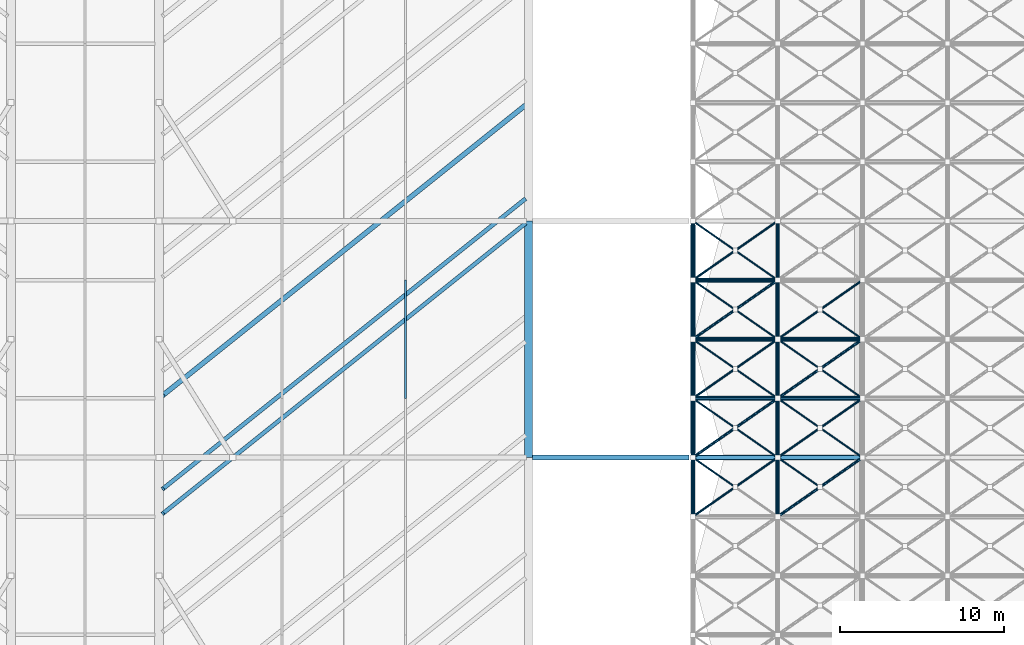
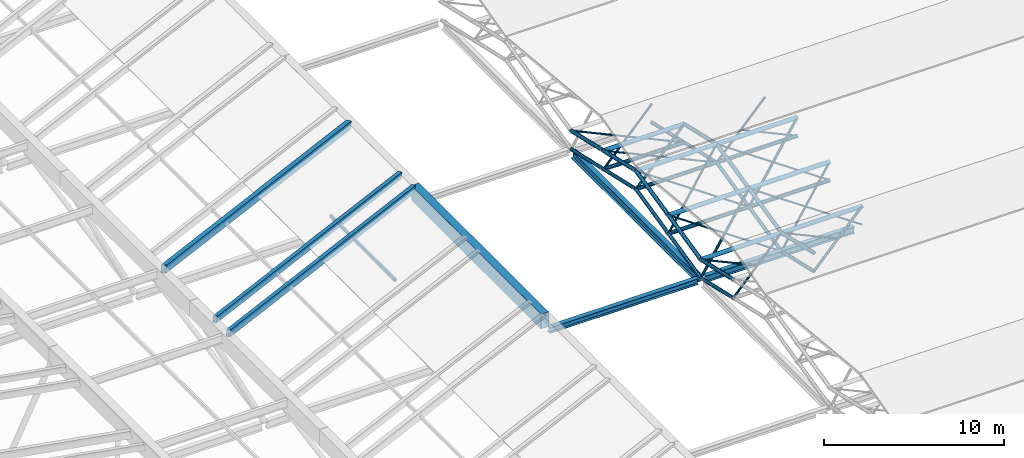
# One storey, part 25 of 110: 56 members, 7 beams.
"""IFC4 building model written with IfcOpenShell, lengths in metres."""

from ifc_helpers import new_model, si_unit, direction, frame, origin, origin_2d, place, context, subcontext, project, spatial, hollow_rectangle, hollow_circle, i_section, extrude, material, material_profile, profile_set, type_object, element, save


model = new_model("IFC4")

# Units and contexts
model_context = context("Model", 3, precision=1e-05, world=origin(), true_north=direction((0.0, 1.0)))
body_context = subcontext(model_context, "Body", "Model", "MODEL_VIEW")
ifc_project = project(units=[si_unit("LENGTHUNIT", "METRE"), si_unit("AREAUNIT", "SQUARE_METRE"), si_unit("VOLUMEUNIT", "CUBIC_METRE"), si_unit("PLANEANGLEUNIT", "RADIAN"), si_unit("MASSUNIT", "GRAM", prefix="KILO")], contexts=[model_context])

# Site, building, storey
site_placement = place(None, origin())
site = spatial("IfcSite", under=ifc_project, at=site_placement, CompositionType="ELEMENT")
building_placement = place(site_placement, origin())
building = spatial("IfcBuilding", under=site, at=building_placement, Name="Tamarisk Ironworks Central Station", CompositionType="ELEMENT")
storey_placement = place(building_placement, frame((0.0, 0.0, 17.39990234375)))
storey = spatial("IfcBuildingStorey", under=building, at=storey_placement, Name="L03", CompositionType="ELEMENT", Elevation=17.39990234375)

# Beams
ifc_material_1 = material(Name="Painted structural steel S355J2", Category="steel")
ifc_material_profile_1 = material_profile(ifc_material_1, hollow_rectangle(XDim=0.5, YDim=1.0, WallThickness=0.02197265625, at=origin_2d()), Name="BOX 500x1000x22")
ifc_profile_set_1 = profile_set([ifc_material_profile_1], Name="Painted structural steel S355J2")
beam_type_1 = type_object("IfcBeamType", Name="BM-EG01", PredefinedType="USERDEFINED", material=ifc_profile_set_1)
beam_1_placement = place(storey_placement, frame((108.0, 50.39990234375, -1.099853515625), z_axis=(0.0, 1.0, 0.0), x_axis=(-1.0, 0.0, 0.0)))
element("IfcBeam", 1, at=beam_1_placement, inside=storey, type_object=beam_type_1, Name="Concourse straight white eave girder E-012", ObjectType="TRANSFER GIRDER", PredefinedType="USERDEFINED", context=body_context, shape_type="SweptSolid", body=[
    extrude(hollow_rectangle(XDim=0.5, YDim=1.0, WallThickness=0.02197265625, at=origin_2d()), origin(), (0.0, 0.0, 1.0), 14.400146484375),
])
ifc_material_profile_2 = material_profile(ifc_material_1, hollow_rectangle(XDim=0.300048828125, YDim=0.5, WallThickness=0.02001953125, at=origin_2d()), Name="RHS 500x300x20")
ifc_profile_set_2 = profile_set([ifc_material_profile_2], Name="Painted structural steel S355J2")
beam_type_2 = type_object("IfcBeamType", Name="BM-FR01", PredefinedType="USERDEFINED", material=ifc_profile_set_2)
beam_2_placement = place(storey_placement, frame((85.75, 54.199951171875, 7.873291015625), z_axis=(0.746812720906, 0.597456799313, -0.292089254932), x_axis=(-0.624699269839, 0.780865431597, 0.0)))
element("IfcBeam", 2, at=beam_2_placement, inside=storey, type_object=beam_type_2, Name="Concourse paired 45-degree white fishbone roof rib 0146", ObjectType="FISHBONE ROOF RIB", PredefinedType="USERDEFINED", context=body_context, shape_type="SweptSolid", body=[
    extrude(hollow_rectangle(XDim=0.300048828125, YDim=0.5, WallThickness=0.02001953125, at=origin_2d()), origin(), (0.0, 0.0, 1.0), 29.491943359375),
])
ifc_material_profile_3 = material_profile(ifc_material_1, hollow_rectangle(XDim=0.25, YDim=0.449951171875, WallThickness=0.01611328125, at=origin_2d()), Name="RHS 450x250x16")
ifc_profile_set_3 = profile_set([ifc_material_profile_3], Name="Painted structural steel S355J2")
beam_type_3 = type_object("IfcBeamType", Name="BM-FR02", PredefinedType="USERDEFINED", material=ifc_profile_set_3)
beam_3_placement = place(storey_placement, frame((85.75, 47.0, 7.897216796875), z_axis=(0.746812720906, 0.597456799313, -0.292089254932), x_axis=(-0.624699269839, 0.780865431597, 0.0)))
element("IfcBeam", 3, at=beam_3_placement, inside=storey, type_object=beam_type_3, Name="Concourse paired 45-degree white fishbone roof rib 0142", ObjectType="FISHBONE ROOF RIB", PredefinedType="USERDEFINED", context=body_context, shape_type="SweptSolid", body=[
    extrude(hollow_rectangle(XDim=0.25, YDim=0.449951171875, WallThickness=0.01611328125, at=origin_2d()), origin(), (0.0, 0.0, 1.0), 29.491943359375),
])
ifc_material_profile_4 = material_profile(ifc_material_1, hollow_rectangle(XDim=0.25, YDim=0.39990234375, WallThickness=0.01611328125, at=origin_2d()), Name="RHS 400x250x16")
ifc_profile_set_4 = profile_set([ifc_material_profile_4], Name="Painted structural steel S355J2")
beam_type_4 = type_object("IfcBeamType", Name="BM-FR03", PredefinedType="USERDEFINED", material=ifc_profile_set_4)
beam_4_placement = place(storey_placement, frame((85.75, 48.5, 7.9208984375), z_axis=(0.746814526668, 0.597458243939, -0.292081682936), x_axis=(-0.624699269839, 0.780865431597, 0.0)))
element("IfcBeam", 4, at=beam_4_placement, inside=storey, type_object=beam_type_4, Name="Concourse paired 45-degree white fishbone roof rib 0144", ObjectType="FISHBONE ROOF RIB", PredefinedType="USERDEFINED", context=body_context, shape_type="SweptSolid", body=[
    extrude(hollow_rectangle(XDim=0.25, YDim=0.39990234375, WallThickness=0.01611328125, at=origin_2d()), origin(), (0.0, 0.0, 1.0), 29.49169921875),
])
ifc_material_2 = material(Name="Structural steel S355J2", Category="steel")
ifc_material_profile_5 = material_profile(ifc_material_2, i_section(OverallWidth=0.300048828125, OverallDepth=0.5400390625, WebThickness=0.012451171875, FlangeThickness=0.02392578125, at=origin_2d()), Name="HEA 550")
ifc_profile_set_5 = profile_set([ifc_material_profile_5], Name="Structural steel S355J2")
beam_type_5 = type_object("IfcBeamType", Name="BM-G04", PredefinedType="BEAM", material=ifc_profile_set_5)
beam_5_placement = place(storey_placement, frame((118.0, 50.637939453125, -1.869873046875), z_axis=(0.0, 1.0, 0.0), x_axis=(-1.0, 0.0, 0.0)))
element("IfcBeam", 5, at=beam_5_placement, inside=storey, type_object=beam_type_5, Name="L03 primary girder Y-0608", PredefinedType="BEAM", context=body_context, shape_type="SweptSolid", body=[
    extrude(i_section(OverallWidth=0.300048828125, OverallDepth=0.5400390625, WebThickness=0.012451171875, FlangeThickness=0.02392578125, at=origin_2d()), origin(), (0.0, 0.0, 1.0), 13.924072265625),
])
ifc_material_profile_6 = material_profile(ifc_material_2, i_section(OverallWidth=0.300048828125, OverallDepth=0.43994140625, WebThickness=0.011474609375, FlangeThickness=0.02099609375, at=origin_2d()), Name="HEA 450")
ifc_profile_set_6 = profile_set([ifc_material_profile_6], Name="Structural steel S355J2")
beam_type_6 = type_object("IfcBeamType", Name="BM-G06", PredefinedType="BEAM", material=ifc_profile_set_6)
beam_6_placement = place(storey_placement, frame((118.238037109375, 50.39990234375, -1.81982421875), z_axis=(1.0, 0.0, 0.0), x_axis=(0.0, 1.0, 0.0)))
element("IfcBeam", 6, at=beam_6_placement, inside=storey, type_object=beam_type_6, Name="L03 primary girder X-0562", PredefinedType="BEAM", context=body_context, shape_type="SweptSolid", body=[
    extrude(i_section(OverallWidth=0.300048828125, OverallDepth=0.43994140625, WebThickness=0.011474609375, FlangeThickness=0.02099609375, at=origin_2d()), origin(), (0.0, 0.0, 1.0), 9.57080078125),
])
ifc_material_profile_7 = material_profile(ifc_material_2, i_section(OverallWidth=0.300048828125, OverallDepth=0.389892578125, WebThickness=0.010986328125, FlangeThickness=0.01904296875, at=origin_2d()), Name="HEA 400")
ifc_profile_set_7 = profile_set([ifc_material_profile_7], Name="Structural steel S355J2")
beam_type_7 = type_object("IfcBeamType", Name="BM-G07", PredefinedType="BEAM", material=ifc_profile_set_7)
beam_7_placement = place(storey_placement, frame((108.22998046875, 50.39990234375, -1.7998046875), z_axis=(1.0, 0.0, 0.0), x_axis=(0.0, 1.0, 0.0)))
element("IfcBeam", 7, at=beam_7_placement, inside=storey, type_object=beam_type_7, Name="Train shed to concourse eave tie girder 08", PredefinedType="BEAM", context=body_context, shape_type="SweptSolid", body=[
    extrude(i_section(OverallWidth=0.300048828125, OverallDepth=0.389892578125, WebThickness=0.010986328125, FlangeThickness=0.01904296875, at=origin_2d()), origin(), (0.0, 0.0, 1.0), 9.5400390625),
])

# Members
ifc_material_profile_8 = material_profile(ifc_material_1, hollow_rectangle(XDim=0.1201171875, YDim=0.219970703125, WallThickness=0.008056640625, at=origin_2d()), Name="RHS 220x120x8")
ifc_profile_set_8 = profile_set([ifc_material_profile_8], Name="Painted structural steel S355J2")
member_type_1 = type_object("IfcMemberType", Name="MB-PR01", PredefinedType="PURLIN", material=ifc_profile_set_8)
member_1_placement = place(storey_placement, frame((100.5, 54.0, 2.0693359375), z_axis=(0.0, 1.0, 0.0), x_axis=(-1.0, 0.0, 0.0)))
element("IfcMember", 8, at=member_1_placement, inside=storey, type_object=member_type_1, Name="Concourse roof glazing purlin 0063", PredefinedType="PURLIN", context=body_context, shape_type="SweptSolid", body=[
    extrude(hollow_rectangle(XDim=0.1201171875, YDim=0.219970703125, WallThickness=0.008056640625, at=origin_2d()), origin(), (0.0, 0.0, 1.0), 7.199951171875),
])
ifc_material_3 = material(Name="Structural steel S355J2H", Category="steel")
ifc_material_profile_9 = material_profile(ifc_material_3, hollow_circle(Radius=0.136474609375, WallThickness=0.012451171875, at=origin_2d()), Name="CHS 273x12.5")
ifc_profile_set_9 = profile_set([ifc_material_profile_9], Name="Structural steel S355J2H")
member_type_2 = type_object("IfcMemberType", Name="MB-SFC01", PredefinedType="CHORD", material=ifc_profile_set_9)
member_2_placement = place(storey_placement, frame((118.0, 50.39990234375, -0.469970703125), z_axis=(1.0, 0.0, 0.0), x_axis=(0.0, 1.0, 0.0)))
element("IfcMember", 9, at=member_2_placement, inside=storey, type_object=member_type_2, Name="Train shed space-frame top chord 1383", PredefinedType="CHORD", context=body_context, shape_type="SweptSolid", body=[
    extrude(hollow_circle(Radius=0.136474609375, WallThickness=0.012451171875, at=origin_2d()), origin(), (0.0, 0.0, 1.0), 5.166748046875),
])
member_3_placement = place(storey_placement, frame((123.166748046875, 50.39990234375, -0.469970703125), z_axis=(1.0, 0.0, 0.0), x_axis=(0.0, 1.0, 0.0)))
element("IfcMember", 10, at=member_3_placement, inside=storey, type_object=member_type_2, Name="Train shed space-frame top chord 1384", PredefinedType="CHORD", context=body_context, shape_type="SweptSolid", body=[
    extrude(hollow_circle(Radius=0.136474609375, WallThickness=0.012451171875, at=origin_2d()), origin(), (0.0, 0.0, 1.0), 5.16650390625),
])
member_4_placement = place(storey_placement, frame((118.0, 54.0, 0.35498046875), z_axis=(1.0, 0.0, 0.0), x_axis=(0.0, 1.0, 0.0)))
element("IfcMember", 11, at=member_4_placement, inside=storey, type_object=member_type_2, Name="Train shed space-frame top chord 1631", PredefinedType="CHORD", context=body_context, shape_type="SweptSolid", body=[
    extrude(hollow_circle(Radius=0.136474609375, WallThickness=0.012451171875, at=origin_2d()), origin(), (0.0, 0.0, 1.0), 5.166748046875),
])
member_5_placement = place(storey_placement, frame((123.166748046875, 54.0, 0.35498046875), z_axis=(1.0, 0.0, 0.0), x_axis=(0.0, 1.0, 0.0)))
element("IfcMember", 12, at=member_5_placement, inside=storey, type_object=member_type_2, Name="Train shed space-frame top chord 1632", PredefinedType="CHORD", context=body_context, shape_type="SweptSolid", body=[
    extrude(hollow_circle(Radius=0.136474609375, WallThickness=0.012451171875, at=origin_2d()), origin(), (0.0, 0.0, 1.0), 5.16650390625),
])
member_6_placement = place(storey_placement, frame((118.0, 57.60009765625, 1.18017578125), z_axis=(1.0, 0.0, 0.0), x_axis=(0.0, 1.0, 0.0)))
element("IfcMember", 13, at=member_6_placement, inside=storey, type_object=member_type_2, Name="Train shed space-frame top chord 1643", PredefinedType="CHORD", context=body_context, shape_type="SweptSolid", body=[
    extrude(hollow_circle(Radius=0.136474609375, WallThickness=0.012451171875, at=origin_2d()), origin(), (0.0, 0.0, 1.0), 5.166748046875),
])
member_7_placement = place(storey_placement, frame((123.166748046875, 57.60009765625, 1.18017578125), z_axis=(1.0, 0.0, 0.0), x_axis=(0.0, 1.0, 0.0)))
element("IfcMember", 14, at=member_7_placement, inside=storey, type_object=member_type_2, Name="Train shed space-frame top chord 1644", PredefinedType="CHORD", context=body_context, shape_type="SweptSolid", body=[
    extrude(hollow_circle(Radius=0.136474609375, WallThickness=0.012451171875, at=origin_2d()), origin(), (0.0, 0.0, 1.0), 5.16650390625),
])
member_8_placement = place(storey_placement, frame((118.0, 61.199951171875, 0.35498046875), z_axis=(1.0, 0.0, 0.0), x_axis=(0.0, 1.0, 0.0)))
element("IfcMember", 15, at=member_8_placement, inside=storey, type_object=member_type_2, Name="Train shed space-frame top chord 1655", PredefinedType="CHORD", context=body_context, shape_type="SweptSolid", body=[
    extrude(hollow_circle(Radius=0.136474609375, WallThickness=0.012451171875, at=origin_2d()), origin(), (0.0, 0.0, 1.0), 5.166748046875),
])
ifc_material_profile_10 = material_profile(ifc_material_3, hollow_circle(Radius=0.122314453125, WallThickness=0.012451171875, at=origin_2d()), Name="CHS 244.5x12.5")
ifc_profile_set_10 = profile_set([ifc_material_profile_10], Name="Structural steel S355J2H")
member_type_3 = type_object("IfcMemberType", Name="MB-SFC02", PredefinedType="CHORD", material=ifc_profile_set_10)
for number, where, z_axis, x_axis, name in (
    (16, (118.0, 46.800048828125, 0.35498046875), (0.0, 0.974733218107, -0.223372230857), (-1.0, 0.0, 0.0), "Train shed space-frame top transverse chord 1398"),
    (17, (123.166748046875, 46.800048828125, 0.35498046875), (0.0, 0.974733218107, -0.223372230857), (-1.0, 0.0, 0.0), "Train shed space-frame top transverse chord 1402"),
):
    element("IfcMember", number, at=place(storey_placement, frame(where, z_axis=z_axis, x_axis=x_axis)), inside=storey, type_object=member_type_3, Name=name, PredefinedType="CHORD", context=body_context, shape_type="SweptSolid", body=[
        extrude(hollow_circle(Radius=0.122314453125, WallThickness=0.012451171875, at=origin_2d()), origin(), (0.0, 0.0, 1.0), 3.693115234375),
    ])
member_9_placement = place(storey_placement, frame((118.0, 54.0, -0.89501953125), z_axis=(1.0, 0.0, 0.0), x_axis=(0.0, 1.0, 0.0)))
element("IfcMember", 18, at=member_9_placement, inside=storey, type_object=member_type_3, Name="Train shed space-frame bottom chord 1543", PredefinedType="CHORD", context=body_context, shape_type="SweptSolid", body=[
    extrude(hollow_circle(Radius=0.122314453125, WallThickness=0.012451171875, at=origin_2d()), origin(), (0.0, 0.0, 1.0), 5.166748046875),
])
member_10_placement = place(storey_placement, frame((123.166748046875, 54.0, -0.89501953125), z_axis=(1.0, 0.0, 0.0), x_axis=(0.0, 1.0, 0.0)))
element("IfcMember", 19, at=member_10_placement, inside=storey, type_object=member_type_3, Name="Train shed space-frame bottom chord 1544", PredefinedType="CHORD", context=body_context, shape_type="SweptSolid", body=[
    extrude(hollow_circle(Radius=0.122314453125, WallThickness=0.012451171875, at=origin_2d()), origin(), (0.0, 0.0, 1.0), 5.16650390625),
])
member_11_placement = place(storey_placement, frame((118.0, 57.60009765625, -0.06982421875), z_axis=(1.0, 0.0, 0.0), x_axis=(0.0, 1.0, 0.0)))
element("IfcMember", 20, at=member_11_placement, inside=storey, type_object=member_type_3, Name="Train shed space-frame bottom chord 1555", PredefinedType="CHORD", context=body_context, shape_type="SweptSolid", body=[
    extrude(hollow_circle(Radius=0.122314453125, WallThickness=0.012451171875, at=origin_2d()), origin(), (0.0, 0.0, 1.0), 5.166748046875),
])
member_12_placement = place(storey_placement, frame((123.166748046875, 57.60009765625, -0.06982421875), z_axis=(1.0, 0.0, 0.0), x_axis=(0.0, 1.0, 0.0)))
element("IfcMember", 21, at=member_12_placement, inside=storey, type_object=member_type_3, Name="Train shed space-frame bottom chord 1556", PredefinedType="CHORD", context=body_context, shape_type="SweptSolid", body=[
    extrude(hollow_circle(Radius=0.122314453125, WallThickness=0.012451171875, at=origin_2d()), origin(), (0.0, 0.0, 1.0), 5.16650390625),
])
member_13_placement = place(storey_placement, frame((118.0, 61.199951171875, -0.89501953125), z_axis=(1.0, 0.0, 0.0), x_axis=(0.0, 1.0, 0.0)))
element("IfcMember", 22, at=member_13_placement, inside=storey, type_object=member_type_3, Name="Train shed space-frame bottom chord 1567", PredefinedType="CHORD", context=body_context, shape_type="SweptSolid", body=[
    extrude(hollow_circle(Radius=0.122314453125, WallThickness=0.012451171875, at=origin_2d()), origin(), (0.0, 0.0, 1.0), 5.166748046875),
])
for number, where, z_axis, x_axis, name in (
    (23, (118.0, 50.39990234375, -0.469970703125), (0.0, 0.974736516158, 0.223357838607), (-1.0, 0.0, 0.0), "Train shed space-frame top transverse chord 1679"),
    (24, (118.0, 54.0, 0.35498046875), (0.0, 0.974722123001, 0.223420641241), (-1.0, 0.0, 0.0), "Train shed space-frame top transverse chord 1680"),
):
    element("IfcMember", number, at=place(storey_placement, frame(where, z_axis=z_axis, x_axis=x_axis)), inside=storey, type_object=member_type_3, Name=name, PredefinedType="CHORD", context=body_context, shape_type="SweptSolid", body=[
        extrude(hollow_circle(Radius=0.122314453125, WallThickness=0.012451171875, at=origin_2d()), origin(), (0.0, 0.0, 1.0), 3.693359375),
    ])
member_14_placement = place(storey_placement, frame((118.0, 57.60009765625, 1.18017578125), z_axis=(0.0, 0.974718823144, -0.223435037113), x_axis=(-1.0, 0.0, 0.0)))
element("IfcMember", 25, at=member_14_placement, inside=storey, type_object=member_type_3, Name="Train shed space-frame top transverse chord 1681", PredefinedType="CHORD", context=body_context, shape_type="SweptSolid", body=[
    extrude(hollow_circle(Radius=0.122314453125, WallThickness=0.012451171875, at=origin_2d()), origin(), (0.0, 0.0, 1.0), 3.693115234375),
])
for number, where, z_axis, x_axis, name in (
    (26, (118.0, 61.199951171875, 0.35498046875), (0.0, 0.974736516158, -0.223357838607), (-1.0, 0.0, 0.0), "Train shed space-frame top transverse chord 1682"),
    (27, (123.166748046875, 50.39990234375, -0.469970703125), (0.0, 0.974736516158, 0.223357838607), (-1.0, 0.0, 0.0), "Train shed space-frame top transverse chord 1683"),
    (28, (123.166748046875, 54.0, 0.35498046875), (0.0, 0.974722123001, 0.223420641241), (-1.0, 0.0, 0.0), "Train shed space-frame top transverse chord 1684"),
):
    element("IfcMember", number, at=place(storey_placement, frame(where, z_axis=z_axis, x_axis=x_axis)), inside=storey, type_object=member_type_3, Name=name, PredefinedType="CHORD", context=body_context, shape_type="SweptSolid", body=[
        extrude(hollow_circle(Radius=0.122314453125, WallThickness=0.012451171875, at=origin_2d()), origin(), (0.0, 0.0, 1.0), 3.693359375),
    ])
member_15_placement = place(storey_placement, frame((123.166748046875, 57.60009765625, 1.18017578125), z_axis=(0.0, 0.974718823144, -0.223435037113), x_axis=(-1.0, 0.0, 0.0)))
element("IfcMember", 29, at=member_15_placement, inside=storey, type_object=member_type_3, Name="Train shed space-frame top transverse chord 1685", PredefinedType="CHORD", context=body_context, shape_type="SweptSolid", body=[
    extrude(hollow_circle(Radius=0.122314453125, WallThickness=0.012451171875, at=origin_2d()), origin(), (0.0, 0.0, 1.0), 3.693115234375),
])
ifc_material_profile_11 = material_profile(ifc_material_3, hollow_circle(Radius=0.109619140625, WallThickness=0.010009765625, at=origin_2d()), Name="CHS 219.1x10")
ifc_profile_set_11 = profile_set([ifc_material_profile_11], Name="Structural steel S355J2H")
member_type_4 = type_object("IfcMemberType", Name="MB-SFC03", PredefinedType="CHORD", material=ifc_profile_set_11)
for number, where, z_axis, x_axis, name in (
    (30, (118.0, 46.800048828125, -0.89501953125), (0.0, 0.974733218107, -0.223372230857), (-1.0, 0.0, 0.0), "Train shed space-frame transverse chord 1298"),
    (31, (123.166748046875, 46.800048828125, -0.89501953125), (0.0, 0.974733218107, -0.223372230857), (-1.0, 0.0, 0.0), "Train shed space-frame transverse chord 1302"),
):
    element("IfcMember", number, at=place(storey_placement, frame(where, z_axis=z_axis, x_axis=x_axis)), inside=storey, type_object=member_type_4, Name=name, PredefinedType="CHORD", context=body_context, shape_type="SweptSolid", body=[
        extrude(hollow_circle(Radius=0.109619140625, WallThickness=0.010009765625, at=origin_2d()), origin(), (0.0, 0.0, 1.0), 3.693115234375),
    ])
for number, where, z_axis, x_axis, name in (
    (32, (118.0, 50.39990234375, -1.719970703125), (0.0, 0.974736516158, 0.223357838607), (-1.0, 0.0, 0.0), "Train shed space-frame transverse chord 1579"),
    (33, (118.0, 54.0, -0.89501953125), (0.0, 0.974722123001, 0.223420641241), (-1.0, 0.0, 0.0), "Train shed space-frame transverse chord 1580"),
):
    element("IfcMember", number, at=place(storey_placement, frame(where, z_axis=z_axis, x_axis=x_axis)), inside=storey, type_object=member_type_4, Name=name, PredefinedType="CHORD", context=body_context, shape_type="SweptSolid", body=[
        extrude(hollow_circle(Radius=0.109619140625, WallThickness=0.010009765625, at=origin_2d()), origin(), (0.0, 0.0, 1.0), 3.693359375),
    ])
member_16_placement = place(storey_placement, frame((118.0, 57.60009765625, -0.06982421875), z_axis=(0.0, 0.974718823144, -0.223435037113), x_axis=(-1.0, 0.0, 0.0)))
element("IfcMember", 34, at=member_16_placement, inside=storey, type_object=member_type_4, Name="Train shed space-frame transverse chord 1581", PredefinedType="CHORD", context=body_context, shape_type="SweptSolid", body=[
    extrude(hollow_circle(Radius=0.109619140625, WallThickness=0.010009765625, at=origin_2d()), origin(), (0.0, 0.0, 1.0), 3.693115234375),
])
for number, where, z_axis, x_axis, name in (
    (35, (118.0, 61.199951171875, -0.89501953125), (0.0, 0.974736516158, -0.223357838607), (-1.0, 0.0, 0.0), "Train shed space-frame transverse chord 1582"),
    (36, (123.166748046875, 50.39990234375, -1.719970703125), (0.0, 0.974736516158, 0.223357838607), (-1.0, 0.0, 0.0), "Train shed space-frame transverse chord 1583"),
    (37, (123.166748046875, 54.0, -0.89501953125), (0.0, 0.974722123001, 0.223420641241), (-1.0, 0.0, 0.0), "Train shed space-frame transverse chord 1584"),
):
    element("IfcMember", number, at=place(storey_placement, frame(where, z_axis=z_axis, x_axis=x_axis)), inside=storey, type_object=member_type_4, Name=name, PredefinedType="CHORD", context=body_context, shape_type="SweptSolid", body=[
        extrude(hollow_circle(Radius=0.109619140625, WallThickness=0.010009765625, at=origin_2d()), origin(), (0.0, 0.0, 1.0), 3.693359375),
    ])
member_17_placement = place(storey_placement, frame((123.166748046875, 57.60009765625, -0.06982421875), z_axis=(0.0, 0.974718823144, -0.223435037113), x_axis=(-1.0, 0.0, 0.0)))
element("IfcMember", 38, at=member_17_placement, inside=storey, type_object=member_type_4, Name="Train shed space-frame transverse chord 1585", PredefinedType="CHORD", context=body_context, shape_type="SweptSolid", body=[
    extrude(hollow_circle(Radius=0.109619140625, WallThickness=0.010009765625, at=origin_2d()), origin(), (0.0, 0.0, 1.0), 3.693115234375),
])
member_18_placement = place(storey_placement, frame((123.166748046875, 61.199951171875, -0.89501953125), z_axis=(0.0, 0.974736516158, -0.223357838607), x_axis=(-1.0, 0.0, 0.0)))
element("IfcMember", 39, at=member_18_placement, inside=storey, type_object=member_type_4, Name="Train shed space-frame transverse chord 1586", PredefinedType="CHORD", context=body_context, shape_type="SweptSolid", body=[
    extrude(hollow_circle(Radius=0.109619140625, WallThickness=0.010009765625, at=origin_2d()), origin(), (0.0, 0.0, 1.0), 3.693359375),
])
ifc_material_profile_12 = material_profile(ifc_material_3, hollow_circle(Radius=0.084228515625, WallThickness=0.010009765625, at=origin_2d()), Name="CHS 168.3x10")
ifc_profile_set_12 = profile_set([ifc_material_profile_12], Name="Structural steel S355J2H")
member_type_5 = type_object("IfcMemberType", Name="MB-SFD01", PredefinedType="BRACE", material=ifc_profile_set_12)
member_19_placement = place(storey_placement, frame((123.166748046875, 46.800048828125, -0.89501953125), z_axis=(0.818613050724, 0.570383207302, 0.067347383107), x_axis=(-0.571681159291, 0.820475869305, 0.0)))
element("IfcMember", 40, at=member_19_placement, inside=storey, type_object=member_type_5, Name="Train shed space-frame diagonal 1461", PredefinedType="BRACE", context=body_context, shape_type="SweptSolid", body=[
    extrude(hollow_circle(Radius=0.084228515625, WallThickness=0.010009765625, at=origin_2d()), origin(), (0.0, 0.0, 1.0), 6.311279296875),
])
member_20_placement = place(storey_placement, frame((118.0, 50.39990234375, -1.719970703125), z_axis=(0.77925836502, 0.542973295402, 0.312947920631), x_axis=(-0.571689073201, 0.82047035509, 0.0)))
element("IfcMember", 41, at=member_20_placement, inside=storey, type_object=member_type_5, Name="Train shed space-frame diagonal 1731", PredefinedType="BRACE", context=body_context, shape_type="SweptSolid", body=[
    extrude(hollow_circle(Radius=0.084228515625, WallThickness=0.010009765625, at=origin_2d()), origin(), (0.0, 0.0, 1.0), 6.63037109375),
])
member_21_placement = place(storey_placement, frame((118.0, 57.60009765625, -0.06982421875), z_axis=(0.818627942589, 0.570366631076, 0.06730674385), x_axis=(-0.57166297408, 0.820488539875, 0.0)))
element("IfcMember", 42, at=member_21_placement, inside=storey, type_object=member_type_5, Name="Train shed space-frame diagonal 1735", PredefinedType="BRACE", context=body_context, shape_type="SweptSolid", body=[
    extrude(hollow_circle(Radius=0.084228515625, WallThickness=0.010009765625, at=origin_2d()), origin(), (0.0, 0.0, 1.0), 6.3115234375),
])
member_22_placement = place(storey_placement, frame((123.166748046875, 54.0, -0.89501953125), z_axis=(0.779234922088, 0.542982617952, 0.31299011614), x_axis=(-0.571707258436, 0.820457683645, 0.0)))
element("IfcMember", 43, at=member_22_placement, inside=storey, type_object=member_type_5, Name="Train shed space-frame diagonal 1741", PredefinedType="BRACE", context=body_context, shape_type="SweptSolid", body=[
    extrude(hollow_circle(Radius=0.084228515625, WallThickness=0.010009765625, at=origin_2d()), origin(), (0.0, 0.0, 1.0), 6.630126953125),
])
ifc_material_profile_13 = material_profile(ifc_material_3, hollow_circle(Radius=0.06982421875, WallThickness=0.008056640625, at=origin_2d()), Name="CHS 139.7x8")
ifc_profile_set_13 = profile_set([ifc_material_profile_13], Name="Structural steel S355J2H")
member_type_6 = type_object("IfcMemberType", Name="MB-SFD02", PredefinedType="BRACE", material=ifc_profile_set_13)
member_23_placement = place(storey_placement, frame((118.0, 46.800048828125, -0.89501953125), z_axis=(0.818625810636, 0.570365145671, 0.067345250499), x_axis=(-0.57166297408, 0.820488539875, 0.0)))
element("IfcMember", 44, at=member_23_placement, inside=storey, type_object=member_type_6, Name="Train shed space-frame diagonal 1453", PredefinedType="BRACE", context=body_context, shape_type="SweptSolid", body=[
    extrude(hollow_circle(Radius=0.06982421875, WallThickness=0.008056640625, at=origin_2d()), origin(), (0.0, 0.0, 1.0), 6.3115234375),
])
member_24_placement = place(storey_placement, frame((118.0, 54.0, -0.89501953125), z_axis=(0.779249385031, 0.542967038306, 0.312981135603), x_axis=(-0.571689073201, 0.82047035509, 0.0)))
element("IfcMember", 45, at=member_24_placement, inside=storey, type_object=member_type_6, Name="Train shed space-frame diagonal 1733", PredefinedType="BRACE", context=body_context, shape_type="SweptSolid", body=[
    extrude(hollow_circle(Radius=0.06982421875, WallThickness=0.008056640625, at=origin_2d()), origin(), (0.0, 0.0, 1.0), 6.63037109375),
])
member_25_placement = place(storey_placement, frame((118.0, 61.199951171875, -0.89501953125), z_axis=(0.818607749421, 0.570391242875, 0.067343764671), x_axis=(-0.571689073201, 0.82047035509, 0.0)))
element("IfcMember", 46, at=member_25_placement, inside=storey, type_object=member_type_6, Name="Train shed space-frame diagonal 1737", PredefinedType="BRACE", context=body_context, shape_type="SweptSolid", body=[
    extrude(hollow_circle(Radius=0.06982421875, WallThickness=0.008056640625, at=origin_2d()), origin(), (0.0, 0.0, 1.0), 6.3115234375),
])
member_26_placement = place(storey_placement, frame((123.166748046875, 50.39990234375, -1.719970703125), z_axis=(0.779243902426, 0.542988875587, 0.312956900421), x_axis=(-0.571707258436, 0.820457683645, 0.0)))
element("IfcMember", 47, at=member_26_placement, inside=storey, type_object=member_type_6, Name="Train shed space-frame diagonal 1739", PredefinedType="BRACE", context=body_context, shape_type="SweptSolid", body=[
    extrude(hollow_circle(Radius=0.06982421875, WallThickness=0.008056640625, at=origin_2d()), origin(), (0.0, 0.0, 1.0), 6.630126953125),
])
member_27_placement = place(storey_placement, frame((123.166748046875, 57.60009765625, -0.06982421875), z_axis=(0.818615182779, 0.570384692849, 0.06730887525), x_axis=(-0.571681159291, 0.820475869305, 0.0)))
element("IfcMember", 48, at=member_27_placement, inside=storey, type_object=member_type_6, Name="Train shed space-frame diagonal 1743", PredefinedType="BRACE", context=body_context, shape_type="SweptSolid", body=[
    extrude(hollow_circle(Radius=0.06982421875, WallThickness=0.008056640625, at=origin_2d()), origin(), (0.0, 0.0, 1.0), 6.311279296875),
])
ifc_material_profile_14 = material_profile(ifc_material_3, hollow_circle(Radius=0.05712890625, WallThickness=0.00634765625, at=origin_2d()), Name="CHS 114.3x6.3")
ifc_profile_set_14 = profile_set([ifc_material_profile_14], Name="Structural steel S355J2H")
member_type_7 = type_object("IfcMemberType", Name="MB-SFD03", PredefinedType="BRACE", material=ifc_profile_set_14)
for number, where, z_axis, x_axis, name in (
    (49, (120.538330078125, 48.63134765625, -0.6787109375), (-0.81862545828, 0.570368646704, 0.067319877544), (-0.571665501983, -0.820486778591, 0.0), "Train shed space-frame split counter-diagonal upper 1454"),
    (50, (125.705078125, 48.63134765625, -0.6787109375), (-0.81862545828, 0.570368646704, 0.067319877544), (-0.571665501983, -0.820486778591, 0.0), "Train shed space-frame split counter-diagonal upper 1462"),
):
    element("IfcMember", number, at=place(storey_placement, frame(where, z_axis=z_axis, x_axis=x_axis)), inside=storey, type_object=member_type_7, Name=name, PredefinedType="BRACE", context=body_context, shape_type="SweptSolid", body=[
        extrude(hollow_circle(Radius=0.05712890625, WallThickness=0.00634765625, at=origin_2d()), origin(), (0.0, 0.0, 1.0), 3.100830078125),
    ])
member_28_placement = place(storey_placement, frame((123.166748046875, 50.39990234375, -1.719970703125), z_axis=(-0.779249686219, 0.542988609915, 0.312942959707), x_axis=(-0.571704213709, -0.820459805248, 0.0)))
element("IfcMember", 51, at=member_28_placement, inside=storey, type_object=member_type_7, Name="Train shed space-frame split counter-diagonal lower 1732", PredefinedType="BRACE", context=body_context, shape_type="SweptSolid", body=[
    extrude(hollow_circle(Radius=0.05712890625, WallThickness=0.00634765625, at=origin_2d()), origin(), (0.0, 0.0, 1.0), 3.26025390625),
])
member_29_placement = place(storey_placement, frame((120.540283203125, 52.22998046875, -0.665283203125), z_axis=(-0.779251958926, 0.542967486998, 0.312973948712), x_axis=(-0.571688120068, -0.820471019216, 0.0)))
element("IfcMember", 52, at=member_29_placement, inside=storey, type_object=member_type_7, Name="Train shed space-frame split counter-diagonal upper 1732", PredefinedType="BRACE", context=body_context, shape_type="SweptSolid", body=[
    extrude(hollow_circle(Radius=0.05712890625, WallThickness=0.00634765625, at=origin_2d()), origin(), (0.0, 0.0, 1.0), 3.260009765625),
])
member_30_placement = place(storey_placement, frame((123.166748046875, 54.0, -0.89501953125), z_axis=(-0.779263106243, 0.542923075174, 0.313023235066), x_axis=(-0.571651135352, -0.820496788203, 0.0)))
element("IfcMember", 53, at=member_30_placement, inside=storey, type_object=member_type_7, Name="Train shed space-frame split counter-diagonal lower 1734", PredefinedType="BRACE", context=body_context, shape_type="SweptSolid", body=[
    extrude(hollow_circle(Radius=0.05712890625, WallThickness=0.00634765625, at=origin_2d()), origin(), (0.0, 0.0, 1.0), 3.26025390625),
])
member_31_placement = place(storey_placement, frame((120.540283203125, 55.829833984375, 0.159912109375), z_axis=(-0.779220271205, 0.543020296637, 0.312961221852), x_axis=(-0.571741198525, -0.820434032637, 0.0)))
element("IfcMember", 54, at=member_31_placement, inside=storey, type_object=member_type_7, Name="Train shed space-frame split counter-diagonal upper 1734", PredefinedType="BRACE", context=body_context, shape_type="SweptSolid", body=[
    extrude(hollow_circle(Radius=0.05712890625, WallThickness=0.00634765625, at=origin_2d()), origin(), (0.0, 0.0, 1.0), 3.260009765625),
])
for number, where, z_axis, x_axis, name in (
    (55, (123.166748046875, 57.60009765625, -0.06982421875), (-0.81862545828, 0.570368646704, 0.067319877544), (-0.571665501983, -0.820486778591, 0.0), "Train shed space-frame split counter-diagonal lower 1736"),
    (56, (120.538330078125, 59.431396484375, 0.146240234375), (-0.81862545828, 0.570368646704, 0.067319877544), (-0.571665501983, -0.820486778591, 0.0), "Train shed space-frame split counter-diagonal upper 1736"),
    (57, (123.166748046875, 61.199951171875, -0.89501953125), (-0.818621116616, 0.570365621695, 0.067398256788), (-0.571665501983, -0.820486778591, 0.0), "Train shed space-frame split counter-diagonal lower 1738"),
    (58, (120.538330078125, 63.031494140625, -0.6787109375), (-0.81862545828, 0.570368646704, 0.067319877544), (-0.571665501983, -0.820486778591, 0.0), "Train shed space-frame split counter-diagonal upper 1738"),
):
    element("IfcMember", number, at=place(storey_placement, frame(where, z_axis=z_axis, x_axis=x_axis)), inside=storey, type_object=member_type_7, Name=name, PredefinedType="BRACE", context=body_context, shape_type="SweptSolid", body=[
        extrude(hollow_circle(Radius=0.05712890625, WallThickness=0.00634765625, at=origin_2d()), origin(), (0.0, 0.0, 1.0), 3.100830078125),
    ])
for number, where, z_axis, x_axis, name in (
    (59, (128.333251953125, 50.39990234375, -1.719970703125), (-0.779220271205, 0.543020296637, 0.312961221852), (-0.571741198525, -0.820434032637, 0.0), "Train shed space-frame split counter-diagonal lower 1740"),
    (60, (125.70703125, 52.22998046875, -0.665283203125), (-0.779251958926, 0.542967486998, 0.312973948712), (-0.571688120068, -0.820471019216, 0.0), "Train shed space-frame split counter-diagonal upper 1740"),
    (61, (128.333251953125, 54.0, -0.89501953125), (-0.779233692289, 0.542954759164, 0.313041502525), (-0.571688120068, -0.820471019216, 0.0), "Train shed space-frame split counter-diagonal lower 1742"),
    (62, (125.70703125, 55.829833984375, 0.159912109375), (-0.779220271205, 0.543020296637, 0.312961221852), (-0.571741198525, -0.820434032637, 0.0), "Train shed space-frame split counter-diagonal upper 1742"),
):
    element("IfcMember", number, at=place(storey_placement, frame(where, z_axis=z_axis, x_axis=x_axis)), inside=storey, type_object=member_type_7, Name=name, PredefinedType="BRACE", context=body_context, shape_type="SweptSolid", body=[
        extrude(hollow_circle(Radius=0.05712890625, WallThickness=0.00634765625, at=origin_2d()), origin(), (0.0, 0.0, 1.0), 3.260009765625),
    ])
member_32_placement = place(storey_placement, frame((128.333251953125, 57.60009765625, -0.06982421875), z_axis=(-0.81862545828, 0.570368646704, 0.067319877544), x_axis=(-0.571665501983, -0.820486778591, 0.0)))
element("IfcMember", 63, at=member_32_placement, inside=storey, type_object=member_type_7, Name="Train shed space-frame split counter-diagonal lower 1744", PredefinedType="BRACE", context=body_context, shape_type="SweptSolid", body=[
    extrude(hollow_circle(Radius=0.05712890625, WallThickness=0.00634765625, at=origin_2d()), origin(), (0.0, 0.0, 1.0), 3.100830078125),
])

save(model, "model.ifc")
